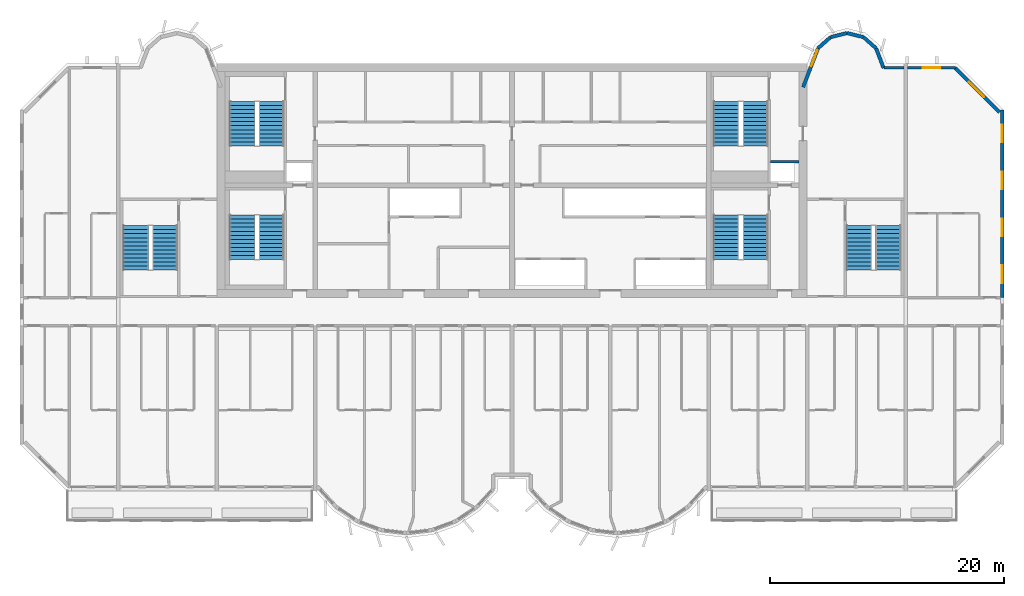
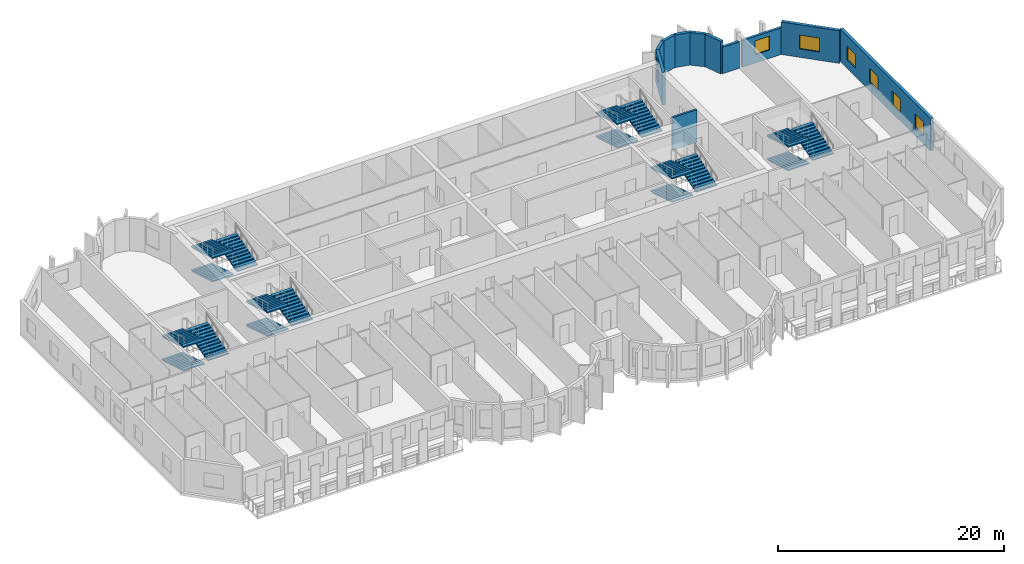
# One storey, part 10 of 13: 18 stair flights, 11 walls, 7 windows, 7 openings, 6 elements without a shape of their own.
"""IFC4 building model written with IfcOpenShell, lengths in metres."""

from ifc_helpers import new_model, si_unit, direction, frame, frame_2d, origin, place, context, subcontext, project, spatial, polyline, rectangle, outline, extrude, source, transform, mapped, material, layer, layer_set, type_object, element, fill, aggregate, save


model = new_model("IFC4")

# Units and contexts
model_context = context("Model", 3, precision=1e-05, world=origin(), true_north=direction((0.0, 1.0)))
body_context = subcontext(model_context, "Body", "Model", "MODEL_VIEW")
ifc_project = project(units=[si_unit("LENGTHUNIT", "METRE"), si_unit("AREAUNIT", "SQUARE_METRE"), si_unit("VOLUMEUNIT", "CUBIC_METRE"), si_unit("PLANEANGLEUNIT", "RADIAN"), si_unit("MASSUNIT", "GRAM", prefix="KILO")], contexts=[model_context])

# Site, building, storey
site_placement = place(None, origin())
site = spatial("IfcSite", under=ifc_project, at=site_placement, CompositionType="ELEMENT")
building_placement = place(site_placement, origin())
building = spatial("IfcBuilding", under=site, at=building_placement, Name="Vanashikhar Sky Hotel", CompositionType="ELEMENT")
storey_placement = place(building_placement, frame((0.0, 0.0, 174.39990234375)))
storey = spatial("IfcBuildingStorey", under=building, at=storey_placement, Name="L42", CompositionType="ELEMENT", Elevation=174.39990234375)

# Wall, openings, windows
ifc_material_1 = material(Name="Concrete M60", Category="concrete")
ifc_layer_1 = layer(ifc_material_1, 0.300048828125)
ifc_layer_set_1 = layer_set([ifc_layer_1], Name="RC shear wall 300 Concrete M60")
wall_type_1 = type_object("IfcWallType", Name="RC shear wall 300 Concrete M60", PredefinedType="SHEAR", material=ifc_layer_set_1)
shared_shape_1 = source(origin(), body_context, "Body", "SweptSolid", [
    extrude(rectangle(XDim=16.0, YDim=0.300048828125, at=frame_2d((8.0, 0.0))), origin(), (0.0, 0.0, 1.0), 3.52001953125),
])
wall_1_placement = place(storey_placement, frame((92.25, 22.0, 0.0), z_axis=(0.0, 0.0, 1.0), x_axis=(0.0, 1.0, 0.0)))
wall_1 = element("IfcWall", 1, at=wall_1_placement, inside=storey, type_object=wall_type_1, Name="CW-L42-XW12-2", PredefinedType="SHEAR", context=body_context, shape_type="MappedRepresentation", body=[
    mapped(shared_shape_1, transform((0.0, 0.0, 0.0), scale=1.0)),
])
shared_shape_2 = source(origin(), body_context, "Body", "SweptSolid", [
    extrude(rectangle(XDim=1.5, YDim=1.5, at=frame_2d((0.75, 0.75))), frame((0.0, 0.16015625, 0.0), z_axis=(0.0, -1.0, 0.0), x_axis=(1.0, 0.0, 0.0)), (0.0, 0.0, 1.0), 0.320068359375),
])
opening_1_placement = place(wall_1_placement, frame((1.25, 0.0, 0.89990234375)))
opening_1 = element("IfcOpeningElement", 2, at=opening_1_placement, cuts=wall_1, Name="Opening WN-1", PredefinedType="OPENING", context=body_context, shape_type="MappedRepresentation", body=[
    mapped(shared_shape_2, transform((0.0, 0.0, 0.0), scale=1.0)),
])
opening_2_placement = place(wall_1_placement, frame((5.25, 0.0, 0.89990234375)))
opening_2 = element("IfcOpeningElement", 3, at=opening_2_placement, cuts=wall_1, Name="Opening WN-1", PredefinedType="OPENING", context=body_context, shape_type="MappedRepresentation", body=[
    mapped(shared_shape_2, transform((0.0, 0.0, 0.0), scale=1.0)),
])
opening_3_placement = place(wall_1_placement, frame((9.25, 0.0, 0.89990234375)))
opening_3 = element("IfcOpeningElement", 4, at=opening_3_placement, cuts=wall_1, Name="Opening WN-1", PredefinedType="OPENING", context=body_context, shape_type="MappedRepresentation", body=[
    mapped(shared_shape_2, transform((0.0, 0.0, 0.0), scale=1.0)),
])
opening_4_placement = place(wall_1_placement, frame((13.25, 0.0, 0.89990234375)))
opening_4 = element("IfcOpeningElement", 5, at=opening_4_placement, cuts=wall_1, Name="Opening WN-1", PredefinedType="OPENING", context=body_context, shape_type="MappedRepresentation", body=[
    mapped(shared_shape_2, transform((0.0, 0.0, 0.0), scale=1.0)),
])
ifc_material_2 = material(Name="Glass", Category="glass")
window_type_1 = type_object("IfcWindowType", Name="Window 1500 x 1500", PartitioningType="SINGLE_PANEL", PredefinedType="WINDOW", material=ifc_material_2)
shared_shape_3 = source(origin(), body_context, "Body", "SweptSolid", [
    extrude(rectangle(XDim=1.5, YDim=1.5, at=frame_2d((0.75, 0.75))), frame((0.0, 0.030029296875, 0.0), z_axis=(0.0, -1.0, 0.0), x_axis=(1.0, 0.0, 0.0)), (0.0, 0.0, 1.0), 0.06005859375),
])
window_1_placement = place(opening_1_placement, origin())
window_1 = element("IfcWindow", 6, at=window_1_placement, inside=storey, type_object=window_type_1, Name="Window WN-1", OverallHeight=1.5, OverallWidth=1.5, PartitioningType="SINGLE_PANEL", PredefinedType="WINDOW", context=body_context, shape_type="MappedRepresentation", body=[
    mapped(shared_shape_3, transform((0.0, 0.0, 0.0), scale=1.0)),
])
fill(opening_1, window_1)
window_2_placement = place(opening_2_placement, origin())
window_2 = element("IfcWindow", 7, at=window_2_placement, inside=storey, type_object=window_type_1, Name="Window WN-1", OverallHeight=1.5, OverallWidth=1.5, PartitioningType="SINGLE_PANEL", PredefinedType="WINDOW", context=body_context, shape_type="MappedRepresentation", body=[
    mapped(shared_shape_3, transform((0.0, 0.0, 0.0), scale=1.0)),
])
fill(opening_2, window_2)
window_3_placement = place(opening_3_placement, origin())
window_3 = element("IfcWindow", 8, at=window_3_placement, inside=storey, type_object=window_type_1, Name="Window WN-1", OverallHeight=1.5, OverallWidth=1.5, PartitioningType="SINGLE_PANEL", PredefinedType="WINDOW", context=body_context, shape_type="MappedRepresentation", body=[
    mapped(shared_shape_3, transform((0.0, 0.0, 0.0), scale=1.0)),
])
fill(opening_3, window_3)
window_4_placement = place(opening_4_placement, origin())
window_4 = element("IfcWindow", 9, at=window_4_placement, inside=storey, type_object=window_type_1, Name="Window WN-1", OverallHeight=1.5, OverallWidth=1.5, PartitioningType="SINGLE_PANEL", PredefinedType="WINDOW", context=body_context, shape_type="MappedRepresentation", body=[
    mapped(shared_shape_3, transform((0.0, 0.0, 0.0), scale=1.0)),
])
fill(opening_4, window_4)

# Wall, opening, window
ifc_material_3 = material(Name="Concrete M50", Category="concrete")
ifc_layer_2 = layer(ifc_material_3, 0.300048828125)
ifc_layer_set_2 = layer_set([ifc_layer_2], Name="Lobe wall 300")
wall_type_2 = type_object("IfcWallType", Name="Lobe wall 300", PredefinedType="SOLIDWALL", material=ifc_layer_set_2)
shared_shape_4 = source(origin(), body_context, "Body", "SweptSolid", [
    extrude(rectangle(XDim=5.32568359375, YDim=0.300048828125, at=frame_2d((2.662841796875, 0.0))), origin(), (0.0, 0.0, 1.0), 3.52001953125),
])
wall_2_placement = place(storey_placement, frame((92.0, 37.834228515625, 0.0), z_axis=(0.0, 0.0, 1.0), x_axis=(-0.707083859269, 0.707129702361, 0.0)))
wall_2 = element("IfcWall", 10, at=wall_2_placement, inside=storey, type_object=wall_type_2, Name="Corner wall", PredefinedType="SOLIDWALL", context=body_context, shape_type="MappedRepresentation", body=[
    mapped(shared_shape_4, transform((0.0, 0.0, 0.0), scale=1.0)),
])
shared_shape_5 = source(origin(), body_context, "Body", "SweptSolid", [
    extrude(rectangle(XDim=1.800048828125, YDim=1.5, at=frame_2d((0.89990234375, 0.75))), frame((0.0, 0.16015625, 0.0), z_axis=(0.0, -1.0, 0.0), x_axis=(1.0, 0.0, 0.0)), (0.0, 0.0, 1.0), 0.320068359375),
])
opening_5_placement = place(wall_2_placement, frame((1.8359375, 0.0, 0.89990234375)))
opening_5 = element("IfcOpeningElement", 11, at=opening_5_placement, cuts=wall_2, Name="Opening WN-4", PredefinedType="OPENING", context=body_context, shape_type="MappedRepresentation", body=[
    mapped(shared_shape_5, transform((0.0, 0.0, 0.0), scale=1.0)),
])
window_type_2 = type_object("IfcWindowType", Name="Corner window 1800 x 1500", PartitioningType="SINGLE_PANEL", PredefinedType="WINDOW", material=ifc_material_2)
shared_shape_6 = source(origin(), body_context, "Body", "SweptSolid", [
    extrude(rectangle(XDim=1.800048828125, YDim=1.5, at=frame_2d((0.89990234375, 0.75))), frame((0.0, 0.030029296875, 0.0), z_axis=(0.0, -1.0, 0.0), x_axis=(1.0, 0.0, 0.0)), (0.0, 0.0, 1.0), 0.06005859375),
])
window_5_placement = place(opening_5_placement, origin())
window_5 = element("IfcWindow", 12, at=window_5_placement, inside=storey, type_object=window_type_2, Name="Window WN-4", OverallHeight=1.5, OverallWidth=1.800048828125, PartitioningType="SINGLE_PANEL", PredefinedType="WINDOW", context=body_context, shape_type="MappedRepresentation", body=[
    mapped(shared_shape_6, transform((0.0, 0.0, 0.0), scale=1.0)),
])
fill(opening_5, window_5)

shared_shape_7 = source(origin(), body_context, "Body", "SweptSolid", [
    extrude(rectangle(XDim=3.55908203125, YDim=0.300048828125, at=frame_2d((1.779541015625, 0.0))), origin(), (0.0, 0.0, 1.0), 3.52001953125),
])
wall_3_placement = place(storey_placement, frame((76.5234375, 43.2919921875, 0.0), z_axis=(0.0, 0.0, 1.0), x_axis=(-0.35779745313, -0.933799219604, 0.0)))
wall_3 = element("IfcWall", 13, at=wall_3_placement, inside=storey, type_object=wall_type_2, Name="Lobe wall", PredefinedType="SOLIDWALL", context=body_context, shape_type="MappedRepresentation", body=[
    mapped(shared_shape_7, transform((0.0, 0.0, 0.0), scale=1.0)),
])
shared_shape_8 = source(origin(), body_context, "Body", "SweptSolid", [
    extrude(rectangle(XDim=1.5, YDim=2.0, at=frame_2d((0.75, 1.0))), frame((0.0, 0.16015625, 0.0), z_axis=(0.0, -1.0, 0.0), x_axis=(1.0, 0.0, 0.0)), (0.0, 0.0, 1.0), 0.320068359375),
])
opening_6_placement = place(wall_3_placement, frame((0.156005859375, 0.0, 0.89990234375)))
opening_6 = element("IfcOpeningElement", 14, at=opening_6_placement, cuts=wall_3, Name="Opening WN-2", PredefinedType="OPENING", context=body_context, shape_type="MappedRepresentation", body=[
    mapped(shared_shape_8, transform((0.0, 0.0, 0.0), scale=1.0)),
])
window_type_3 = type_object("IfcWindowType", Name="Lobe window 1500 x 2000", PartitioningType="SINGLE_PANEL", PredefinedType="WINDOW", material=ifc_material_2)
shared_shape_9 = source(origin(), body_context, "Body", "SweptSolid", [
    extrude(rectangle(XDim=1.5, YDim=2.0, at=frame_2d((0.75, 1.0))), frame((0.0, 0.030029296875, 0.0), z_axis=(0.0, -1.0, 0.0), x_axis=(1.0, 0.0, 0.0)), (0.0, 0.0, 1.0), 0.06005859375),
])
window_6_placement = place(opening_6_placement, origin())
window_6 = element("IfcWindow", 15, at=window_6_placement, inside=storey, type_object=window_type_3, Name="Window WN-2", OverallHeight=2.0, OverallWidth=1.5, PartitioningType="SINGLE_PANEL", PredefinedType="WINDOW", context=body_context, shape_type="MappedRepresentation", body=[
    mapped(shared_shape_9, transform((0.0, 0.0, 0.0), scale=1.0)),
])
fill(opening_6, window_6)

# Walls
shared_shape_10 = source(origin(), body_context, "Body", "SweptSolid", [
    extrude(rectangle(XDim=1.438720703125, YDim=0.300048828125, at=frame_2d((0.71923828125, 0.0))), origin(), (0.0, 0.0, 1.0), 3.52001953125),
])
for number, where, z_axis, x_axis, name in (
    (16, (80.397216796875, 44.2451171875, 0.0), (0.0, 0.0, 1.0), (-0.971161932466, 0.238420848351, 0.0), "Lobe wall"),
    (17, (79.0, 44.588134765625, 0.0), (0.0, 0.0, 1.0), (-0.971161932466, -0.238420848351, 0.0), "Lobe wall"),
):
    element("IfcWall", number, at=place(storey_placement, frame(where, z_axis=z_axis, x_axis=x_axis)), inside=storey, type_object=wall_type_2, Name=name, PredefinedType="SOLIDWALL", context=body_context, shape_type="MappedRepresentation", body=[
        mapped(shared_shape_10, transform((0.0, 0.0, 0.0), scale=1.0)),
    ])
shared_shape_11 = source(origin(), body_context, "Body", "SweptSolid", [
    extrude(rectangle(XDim=1.43994140625, YDim=0.300048828125, at=frame_2d((0.719970703125, 0.0))), origin(), (0.0, 0.0, 1.0), 3.52001953125),
])
for number, where, z_axis, x_axis, name in (
    (18, (81.4765625, 43.2919921875, 0.0), (0.0, 0.0, 1.0), (-0.74957555648, 0.661918790432, 0.0), "Lobe wall"),
    (19, (77.602783203125, 44.2451171875, 0.0), (0.0, 0.0, 1.0), (-0.74957555648, -0.661918790432, 0.0), "Lobe wall"),
):
    element("IfcWall", number, at=place(storey_placement, frame(where, z_axis=z_axis, x_axis=x_axis)), inside=storey, type_object=wall_type_2, Name=name, PredefinedType="SOLIDWALL", context=body_context, shape_type="MappedRepresentation", body=[
        mapped(shared_shape_11, transform((0.0, 0.0, 0.0), scale=1.0)),
    ])
shared_shape_12 = source(origin(), body_context, "Body", "SweptSolid", [
    extrude(rectangle(XDim=1.81201171875, YDim=0.300048828125, at=frame_2d((0.906005859375, 0.0))), origin(), (0.0, 0.0, 1.0), 3.52001953125),
])
wall_4_placement = place(storey_placement, frame((82.125, 41.60009765625, 0.0), z_axis=(0.0, 0.0, 1.0), x_axis=(-0.357877270961, 0.93376863244, 0.0)))
element("IfcWall", 20, at=wall_4_placement, inside=storey, type_object=wall_type_2, Name="Lobe wall", PredefinedType="SOLIDWALL", context=body_context, shape_type="MappedRepresentation", body=[
    mapped(shared_shape_12, transform((0.0, 0.0, 0.0), scale=1.0)),
])
ifc_layer_3 = layer(ifc_material_3, 0.25)
ifc_layer_set_3 = layer_set([ifc_layer_3], Name="Rear and end board-marked wall 250")
wall_type_3 = type_object("IfcWallType", Name="Rear and end board-marked wall 250", PredefinedType="SOLIDWALL", material=ifc_layer_set_3)
shared_shape_13 = source(origin(), body_context, "Body", "SweptSolid", [
    extrude(rectangle(XDim=1.7080078125, YDim=0.25, at=frame_2d((0.85400390625, 0.0))), origin(), (0.0, 0.0, 1.0), 2.8701171875),
])
wall_5_placement = place(storey_placement, frame((83.85009765625, 41.625, 0.0), z_axis=(0.0, 0.0, 1.0), x_axis=(-1.0, 0.0, 0.0)))
element("IfcWall", 21, at=wall_5_placement, inside=storey, type_object=wall_type_3, Name="Rear board-marked wall", PredefinedType="SOLIDWALL", context=body_context, shape_type="MappedRepresentation", body=[
    mapped(shared_shape_13, transform((0.0, 0.0, 0.0), scale=1.0)),
])

# Wall, opening, window
shared_shape_14 = source(origin(), body_context, "Body", "SweptSolid", [
    extrude(rectangle(XDim=4.0947265625, YDim=0.25, at=frame_2d((2.04736328125, 0.0))), origin(), (0.0, 0.0, 1.0), 2.8701171875),
])
wall_6_placement = place(storey_placement, frame((88.24462890625, 41.625, 0.0), z_axis=(0.0, 0.0, 1.0), x_axis=(-1.0, 0.0, 0.0)))
wall_6 = element("IfcWall", 22, at=wall_6_placement, inside=storey, type_object=wall_type_3, Name="Rear board-marked wall", PredefinedType="SOLIDWALL", context=body_context, shape_type="MappedRepresentation", body=[
    mapped(shared_shape_14, transform((0.0, 0.0, 0.0), scale=1.0)),
])
shared_shape_15 = source(origin(), body_context, "Body", "SweptSolid", [
    extrude(rectangle(XDim=1.5, YDim=1.5, at=frame_2d((0.75, 0.75))), frame((0.0, 0.135009765625, 0.0), z_axis=(0.0, -1.0, 0.0), x_axis=(1.0, 0.0, 0.0)), (0.0, 0.0, 1.0), 0.27001953125),
])
opening_7_placement = place(wall_6_placement, frame((1.29736328125, 0.0, 0.89990234375)))
opening_7 = element("IfcOpeningElement", 23, at=opening_7_placement, cuts=wall_6, Name="Opening WN-1", PredefinedType="OPENING", context=body_context, shape_type="MappedRepresentation", body=[
    mapped(shared_shape_15, transform((0.0, 0.0, 0.0), scale=1.0)),
])
window_7_placement = place(opening_7_placement, origin())
window_7 = element("IfcWindow", 24, at=window_7_placement, inside=storey, type_object=window_type_1, Name="Window WN-1", OverallHeight=1.5, OverallWidth=1.5, PartitioningType="SINGLE_PANEL", PredefinedType="WINDOW", context=body_context, shape_type="MappedRepresentation", body=[
    mapped(shared_shape_3, transform((0.0, 0.0, 0.0), scale=1.0)),
])
fill(opening_7, window_7)

# Wall
ifc_material_4 = material(Name="Concrete M40", Category="concrete")
ifc_layer_4 = layer(ifc_material_4, 0.199951171875)
ifc_layer_set_4 = layer_set([ifc_layer_4], Name="Shaft wall 200")
wall_type_4 = type_object("IfcWallType", Name="Shaft wall 200", PredefinedType="SOLIDWALL", material=ifc_layer_set_4)
shared_shape_16 = source(origin(), body_context, "Body", "SweptSolid", [
    extrude(rectangle(XDim=2.449951171875, YDim=0.199951171875, at=frame_2d((1.22509765625, 0.0))), origin(), (0.0, 0.0, 1.0), 3.52001953125),
])
wall_7_placement = place(storey_placement, frame((72.449951171875, 33.60009765625, 0.0), z_axis=(0.0, 0.0, 1.0), x_axis=(1.0, 0.0, 0.0)))
element("IfcWall", 25, at=wall_7_placement, inside=storey, type_object=wall_type_4, Name="Shaft wall 200", PredefinedType="SOLIDWALL", context=body_context, shape_type="MappedRepresentation", body=[
    mapped(shared_shape_16, transform((0.0, 0.0, 0.0), scale=1.0)),
])

# Stair, stair flights
stair_type = type_object("IfcStairType", Name="Exit stair 2150", PredefinedType="DOUBLE_RETURN_STAIR", material=ifc_material_4)
stair_1_placement = place(storey_placement, origin())
stair_1 = element("IfcStair", 26, at=stair_1_placement, inside=storey, type_object=stair_type, Name="L42 Exit stair 1", PredefinedType="DOUBLE_RETURN_STAIR")
stair_flight_type = type_object("IfcStairFlightType", Name="Stair flight 2150", PredefinedType="STRAIGHT", material=ifc_material_4)
shared_shape_17 = source(origin(), body_context, "Body", "SweptSolid", [
    extrude(outline(polyline([(0.0, 0.0), (0.0, 0.10546875), (0.345458984375, 0.10546875), (0.345458984375, 0.211181640625), (0.69091796875, 0.211181640625), (0.69091796875, 0.316650390625), (1.036376953125, 0.316650390625), (1.036376953125, 0.422119140625), (1.3818359375, 0.422119140625), (1.3818359375, 0.52783203125), (1.727294921875, 0.52783203125), (1.727294921875, 0.63330078125), (2.07275390625, 0.63330078125), (2.07275390625, 0.73876953125), (2.418212890625, 0.73876953125), (2.418212890625, 0.844482421875), (2.763671875, 0.844482421875), (2.763671875, 0.949951171875), (3.109130859375, 0.949951171875), (3.109130859375, 1.0556640625), (3.45458984375, 1.0556640625), (3.45458984375, 1.1611328125), (3.800048828125, 1.1611328125), (3.800048828125, 1.2666015625), (3.800048828125, 1.035400390625), (0.4111328125, 0.0), (0.0, 0.0)])), frame((0.0, 1.074951171875, 0.0), z_axis=(0.0, -1.0, 0.0), x_axis=(1.0, 0.0, 0.0)), (0.0, 0.0, 1.0), 2.14990234375),
])
stair_flight_1_placement = place(storey_placement, frame((27.375, 29.050048828125, 0.0), z_axis=(0.0, 0.0, 1.0), x_axis=(0.0, -1.0, 0.0)))
stair_flight_1 = element("IfcStairFlight", 27, at=stair_flight_1_placement, type_object=stair_flight_type, Name="ST-C1 flight 1", NumberOfRisers=12, NumberOfTreads=11, PredefinedType="STRAIGHT", RiserHeight=0.105555556, TreadLength=0.345454545, context=body_context, shape_type="MappedRepresentation", body=[
    mapped(shared_shape_17, transform((0.0, 0.0, 0.0), scale=1.0)),
])
stair_flight_2_placement = place(storey_placement, frame((29.875, 25.25, 1.266845703125), z_axis=(0.0, 0.0, 1.0), x_axis=(0.0, 1.0, 0.0)))
stair_flight_2 = element("IfcStairFlight", 28, at=stair_flight_2_placement, type_object=stair_flight_type, Name="ST-C1 flight 2", NumberOfRisers=12, NumberOfTreads=11, PredefinedType="STRAIGHT", RiserHeight=0.105555556, TreadLength=0.345454545, context=body_context, shape_type="MappedRepresentation", body=[
    mapped(shared_shape_17, transform((0.0, 0.0, 0.0), scale=1.0)),
])
stair_flight_3_placement = place(storey_placement, frame((27.375, 29.050048828125, 2.533447265625), z_axis=(0.0, 0.0, 1.0), x_axis=(0.0, -1.0, 0.0)))
stair_flight_3 = element("IfcStairFlight", 29, at=stair_flight_3_placement, type_object=stair_flight_type, Name="ST-C1 flight 3", NumberOfRisers=12, NumberOfTreads=11, PredefinedType="STRAIGHT", RiserHeight=0.105555556, TreadLength=0.345454545, context=body_context, shape_type="MappedRepresentation", body=[
    mapped(shared_shape_17, transform((0.0, 0.0, 0.0), scale=1.0)),
])
aggregate(stair_1, [stair_flight_1, stair_flight_2, stair_flight_3])

stair_2_placement = place(storey_placement, origin())
stair_2 = element("IfcStair", 30, at=stair_2_placement, inside=storey, type_object=stair_type, Name="L42 Exit stair 2", PredefinedType="DOUBLE_RETURN_STAIR")
stair_flight_4_placement = place(storey_placement, frame((68.675048828125, 29.050048828125, 0.0), z_axis=(0.0, 0.0, 1.0), x_axis=(0.0, -1.0, 0.0)))
stair_flight_4 = element("IfcStairFlight", 31, at=stair_flight_4_placement, type_object=stair_flight_type, Name="ST-C2 flight 1", NumberOfRisers=12, NumberOfTreads=11, PredefinedType="STRAIGHT", RiserHeight=0.105555556, TreadLength=0.345454545, context=body_context, shape_type="MappedRepresentation", body=[
    mapped(shared_shape_17, transform((0.0, 0.0, 0.0), scale=1.0)),
])
stair_flight_5_placement = place(storey_placement, frame((71.175048828125, 25.25, 1.266845703125), z_axis=(0.0, 0.0, 1.0), x_axis=(0.0, 1.0, 0.0)))
stair_flight_5 = element("IfcStairFlight", 32, at=stair_flight_5_placement, type_object=stair_flight_type, Name="ST-C2 flight 2", NumberOfRisers=12, NumberOfTreads=11, PredefinedType="STRAIGHT", RiserHeight=0.105555556, TreadLength=0.345454545, context=body_context, shape_type="MappedRepresentation", body=[
    mapped(shared_shape_17, transform((0.0, 0.0, 0.0), scale=1.0)),
])
stair_flight_6_placement = place(storey_placement, frame((68.675048828125, 29.050048828125, 2.533447265625), z_axis=(0.0, 0.0, 1.0), x_axis=(0.0, -1.0, 0.0)))
stair_flight_6 = element("IfcStairFlight", 33, at=stair_flight_6_placement, type_object=stair_flight_type, Name="ST-C2 flight 3", NumberOfRisers=12, NumberOfTreads=11, PredefinedType="STRAIGHT", RiserHeight=0.105555556, TreadLength=0.345454545, context=body_context, shape_type="MappedRepresentation", body=[
    mapped(shared_shape_17, transform((0.0, 0.0, 0.0), scale=1.0)),
])
aggregate(stair_2, [stair_flight_4, stair_flight_5, stair_flight_6])

stair_3_placement = place(storey_placement, origin())
stair_3 = element("IfcStair", 34, at=stair_3_placement, inside=storey, type_object=stair_type, Name="L42 Exit stair 3", PredefinedType="DOUBLE_RETURN_STAIR")
stair_flight_7_placement = place(storey_placement, frame((18.27490234375, 28.14990234375, 0.0), z_axis=(0.0, 0.0, 1.0), x_axis=(0.0, -1.0, 0.0)))
stair_flight_7 = element("IfcStairFlight", 35, at=stair_flight_7_placement, type_object=stair_flight_type, Name="ST-W flight 1", NumberOfRisers=12, NumberOfTreads=11, PredefinedType="STRAIGHT", RiserHeight=0.105555556, TreadLength=0.345454545, context=body_context, shape_type="MappedRepresentation", body=[
    mapped(shared_shape_17, transform((0.0, 0.0, 0.0), scale=1.0)),
])
stair_flight_8_placement = place(storey_placement, frame((20.77490234375, 24.35009765625, 1.266845703125), z_axis=(0.0, 0.0, 1.0), x_axis=(0.0, 1.0, 0.0)))
stair_flight_8 = element("IfcStairFlight", 36, at=stair_flight_8_placement, type_object=stair_flight_type, Name="ST-W flight 2", NumberOfRisers=12, NumberOfTreads=11, PredefinedType="STRAIGHT", RiserHeight=0.105555556, TreadLength=0.345454545, context=body_context, shape_type="MappedRepresentation", body=[
    mapped(shared_shape_17, transform((0.0, 0.0, 0.0), scale=1.0)),
])
stair_flight_9_placement = place(storey_placement, frame((18.27490234375, 28.14990234375, 2.533447265625), z_axis=(0.0, 0.0, 1.0), x_axis=(0.0, -1.0, 0.0)))
stair_flight_9 = element("IfcStairFlight", 37, at=stair_flight_9_placement, type_object=stair_flight_type, Name="ST-W flight 3", NumberOfRisers=12, NumberOfTreads=11, PredefinedType="STRAIGHT", RiserHeight=0.105555556, TreadLength=0.345454545, context=body_context, shape_type="MappedRepresentation", body=[
    mapped(shared_shape_17, transform((0.0, 0.0, 0.0), scale=1.0)),
])
aggregate(stair_3, [stair_flight_7, stair_flight_8, stair_flight_9])

stair_4_placement = place(storey_placement, origin())
stair_4 = element("IfcStair", 38, at=stair_4_placement, inside=storey, type_object=stair_type, Name="L42 Exit stair 4", PredefinedType="DOUBLE_RETURN_STAIR")
stair_flight_10_placement = place(storey_placement, frame((80.02490234375, 28.14990234375, 0.0), z_axis=(0.0, 0.0, 1.0), x_axis=(0.0, -1.0, 0.0)))
stair_flight_10 = element("IfcStairFlight", 39, at=stair_flight_10_placement, type_object=stair_flight_type, Name="ST-E flight 1", NumberOfRisers=12, NumberOfTreads=11, PredefinedType="STRAIGHT", RiserHeight=0.105555556, TreadLength=0.345454545, context=body_context, shape_type="MappedRepresentation", body=[
    mapped(shared_shape_17, transform((0.0, 0.0, 0.0), scale=1.0)),
])
stair_flight_11_placement = place(storey_placement, frame((82.52490234375, 24.35009765625, 1.266845703125), z_axis=(0.0, 0.0, 1.0), x_axis=(0.0, 1.0, 0.0)))
stair_flight_11 = element("IfcStairFlight", 40, at=stair_flight_11_placement, type_object=stair_flight_type, Name="ST-E flight 2", NumberOfRisers=12, NumberOfTreads=11, PredefinedType="STRAIGHT", RiserHeight=0.105555556, TreadLength=0.345454545, context=body_context, shape_type="MappedRepresentation", body=[
    mapped(shared_shape_17, transform((0.0, 0.0, 0.0), scale=1.0)),
])
stair_flight_12_placement = place(storey_placement, frame((80.02490234375, 28.14990234375, 2.533447265625), z_axis=(0.0, 0.0, 1.0), x_axis=(0.0, -1.0, 0.0)))
stair_flight_12 = element("IfcStairFlight", 41, at=stair_flight_12_placement, type_object=stair_flight_type, Name="ST-E flight 3", NumberOfRisers=12, NumberOfTreads=11, PredefinedType="STRAIGHT", RiserHeight=0.105555556, TreadLength=0.345454545, context=body_context, shape_type="MappedRepresentation", body=[
    mapped(shared_shape_17, transform((0.0, 0.0, 0.0), scale=1.0)),
])
aggregate(stair_4, [stair_flight_10, stair_flight_11, stair_flight_12])

stair_5_placement = place(storey_placement, origin())
stair_5 = element("IfcStair", 42, at=stair_5_placement, inside=storey, type_object=stair_type, Name="L42 Exit stair 5", PredefinedType="DOUBLE_RETURN_STAIR")
stair_flight_13_placement = place(storey_placement, frame((27.375, 38.75, 0.0), z_axis=(0.0, 0.0, 1.0), x_axis=(0.0, -1.0, 0.0)))
stair_flight_13 = element("IfcStairFlight", 43, at=stair_flight_13_placement, type_object=stair_flight_type, Name="ST-C3 flight 1", NumberOfRisers=12, NumberOfTreads=11, PredefinedType="STRAIGHT", RiserHeight=0.105555556, TreadLength=0.345454545, context=body_context, shape_type="MappedRepresentation", body=[
    mapped(shared_shape_17, transform((0.0, 0.0, 0.0), scale=1.0)),
])
stair_flight_14_placement = place(storey_placement, frame((29.875, 34.949951171875, 1.266845703125), z_axis=(0.0, 0.0, 1.0), x_axis=(0.0, 1.0, 0.0)))
stair_flight_14 = element("IfcStairFlight", 44, at=stair_flight_14_placement, type_object=stair_flight_type, Name="ST-C3 flight 2", NumberOfRisers=12, NumberOfTreads=11, PredefinedType="STRAIGHT", RiserHeight=0.105555556, TreadLength=0.345454545, context=body_context, shape_type="MappedRepresentation", body=[
    mapped(shared_shape_17, transform((0.0, 0.0, 0.0), scale=1.0)),
])
stair_flight_15_placement = place(storey_placement, frame((27.375, 38.75, 2.533447265625), z_axis=(0.0, 0.0, 1.0), x_axis=(0.0, -1.0, 0.0)))
stair_flight_15 = element("IfcStairFlight", 45, at=stair_flight_15_placement, type_object=stair_flight_type, Name="ST-C3 flight 3", NumberOfRisers=12, NumberOfTreads=11, PredefinedType="STRAIGHT", RiserHeight=0.105555556, TreadLength=0.345454545, context=body_context, shape_type="MappedRepresentation", body=[
    mapped(shared_shape_17, transform((0.0, 0.0, 0.0), scale=1.0)),
])
aggregate(stair_5, [stair_flight_13, stair_flight_14, stair_flight_15])

stair_6_placement = place(storey_placement, origin())
stair_6 = element("IfcStair", 46, at=stair_6_placement, inside=storey, type_object=stair_type, Name="L42 Exit stair 6", PredefinedType="DOUBLE_RETURN_STAIR")
stair_flight_16_placement = place(storey_placement, frame((68.675048828125, 38.75, 0.0), z_axis=(0.0, 0.0, 1.0), x_axis=(0.0, -1.0, 0.0)))
stair_flight_16 = element("IfcStairFlight", 47, at=stair_flight_16_placement, type_object=stair_flight_type, Name="ST-C4 flight 1", NumberOfRisers=12, NumberOfTreads=11, PredefinedType="STRAIGHT", RiserHeight=0.105555556, TreadLength=0.345454545, context=body_context, shape_type="MappedRepresentation", body=[
    mapped(shared_shape_17, transform((0.0, 0.0, 0.0), scale=1.0)),
])
stair_flight_17_placement = place(storey_placement, frame((71.175048828125, 34.949951171875, 1.266845703125), z_axis=(0.0, 0.0, 1.0), x_axis=(0.0, 1.0, 0.0)))
stair_flight_17 = element("IfcStairFlight", 48, at=stair_flight_17_placement, type_object=stair_flight_type, Name="ST-C4 flight 2", NumberOfRisers=12, NumberOfTreads=11, PredefinedType="STRAIGHT", RiserHeight=0.105555556, TreadLength=0.345454545, context=body_context, shape_type="MappedRepresentation", body=[
    mapped(shared_shape_17, transform((0.0, 0.0, 0.0), scale=1.0)),
])
stair_flight_18_placement = place(storey_placement, frame((68.675048828125, 38.75, 2.533447265625), z_axis=(0.0, 0.0, 1.0), x_axis=(0.0, -1.0, 0.0)))
stair_flight_18 = element("IfcStairFlight", 49, at=stair_flight_18_placement, type_object=stair_flight_type, Name="ST-C4 flight 3", NumberOfRisers=12, NumberOfTreads=11, PredefinedType="STRAIGHT", RiserHeight=0.105555556, TreadLength=0.345454545, context=body_context, shape_type="MappedRepresentation", body=[
    mapped(shared_shape_17, transform((0.0, 0.0, 0.0), scale=1.0)),
])
aggregate(stair_6, [stair_flight_16, stair_flight_17, stair_flight_18])

save(model, "model.ifc")
